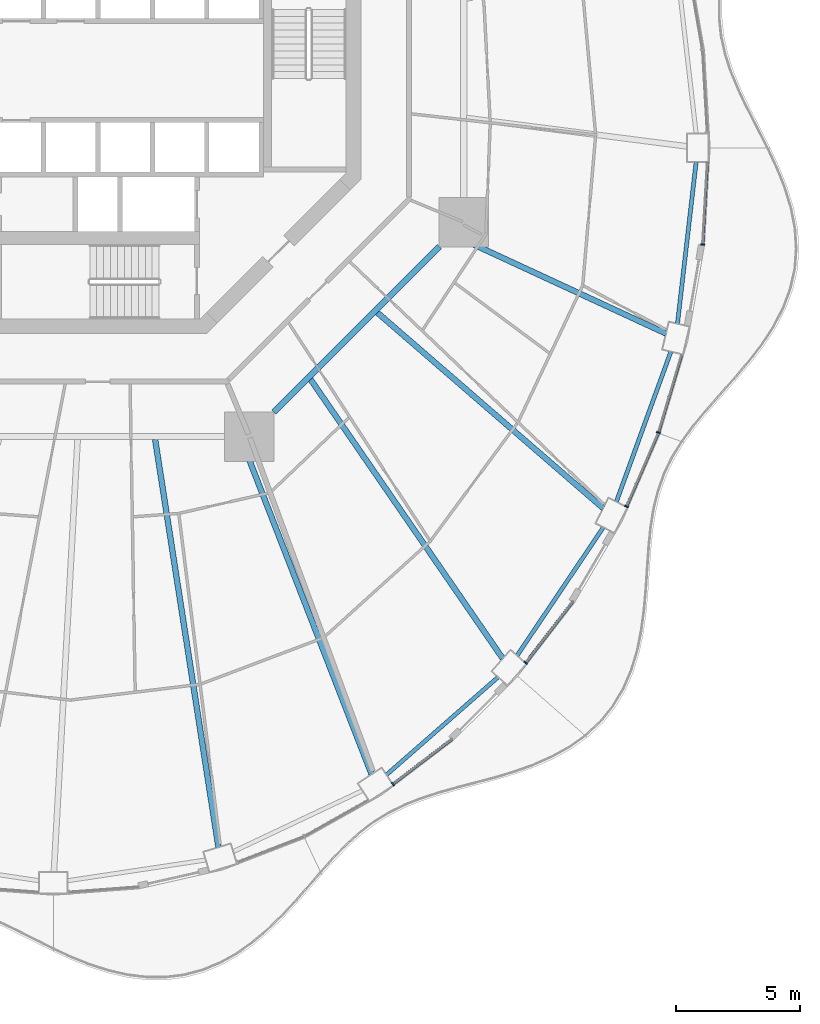
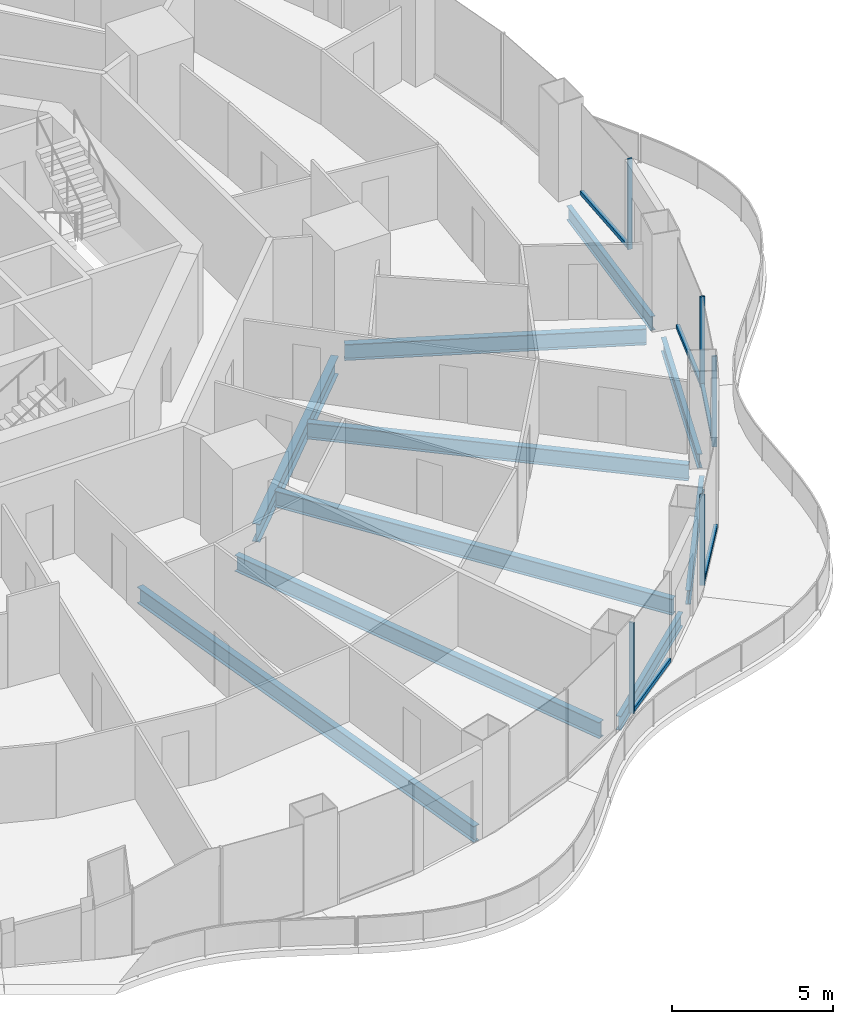
# One storey, part 5 of 20: 10 beams, 10 members, 5 elements without a shape of their own.
"""IFC4 building model written with IfcOpenShell, lengths in metres."""

import ifcopenshell
import ifcopenshell.guid

model = None  # the IFC model being written
_history = None  # IfcOwnerHistory: only IFC2X3 demands one
_inside = {}  # id of a spatial element -> (the spatial element, [elements in it])
_under = {}  # id of a project, library or spatial element -> (it, [spatial elements below it])
_declared = {}  # id of a project -> (the project, [libraries it declares])
_typed = {}  # id of a type object -> (the type object, [elements of that type])
_made_of = {}  # id of a material, layer set ... -> (it, [elements and type objects made of it])


def new_model(schema):
    """Start an empty IFC model of exactly this schema.

    Asked for "IFC4X3", IfcOpenShell would pick the latest addendum, in which some entities
    have other attributes; the version numbers below select the first issue.
    IFC2X3 requires an IfcOwnerHistory on every rooted entity: one is made here for all.
    """
    global model, _history
    if schema == "IFC4X3":
        model = ifcopenshell.file(schema_version=(4, 3, 0, 0))
    else:
        model = ifcopenshell.file(schema=schema)
    _inside.clear()
    _under.clear()
    _declared.clear()
    _typed.clear()
    _made_of.clear()
    _history = None
    if model.schema == "IFC2X3":
        org = make("IfcOrganization", Name="unknown")
        user = make(
            "IfcPersonAndOrganization",
            ThePerson=make("IfcPerson", FamilyName="unknown"),
            TheOrganization=org,
        )
        app = make(
            "IfcApplication",
            ApplicationDeveloper=org,
            Version="unknown",
            ApplicationFullName="unknown",
            ApplicationIdentifier="unknown",
        )
        _history = make(
            "IfcOwnerHistory",
            OwningUser=user,
            OwningApplication=app,
            ChangeAction="ADDED",
            CreationDate=0,
        )
    return model


def make(cls, **values):
    """One entity of the class cls with the attributes given. An attribute that is None is left unset."""
    return model.create_entity(
        cls, **{name: value for name, value in values.items() if value is not None}
    )


def rooted(cls, **values):
    """An entity with a GlobalId (a new one), such as an element, a storey or a relation."""
    return make(cls, GlobalId=ifcopenshell.guid.new(), OwnerHistory=_history, **values)


def si_unit(unit_type, name, prefix=None):
    """IfcSIUnit, for example si_unit("LENGTHUNIT", "METRE", prefix="MILLI")."""
    return make("IfcSIUnit", UnitType=unit_type, Prefix=prefix, Name=name)


def assignment(units):
    """IfcUnitAssignment: the units of a project."""
    return None if units is None else make("IfcUnitAssignment", Units=units)


def point(xyz):
    """IfcCartesianPoint."""
    return None if xyz is None else make("IfcCartesianPoint", Coordinates=xyz)


def direction(xyz):
    """IfcDirection."""
    return None if xyz is None else make("IfcDirection", DirectionRatios=xyz)


def frame(location, z_axis=None, x_axis=None):
    """IfcAxis2Placement3D, a coordinate frame: its origin and axes. An axis left out is left unset."""
    return make(
        "IfcAxis2Placement3D",
        Location=point(location),
        Axis=direction(z_axis),
        RefDirection=direction(x_axis),
    )


def frame_2d(location, x_axis=None):
    """IfcAxis2Placement2D, a coordinate frame in the plane: its origin and x axis."""
    return make(
        "IfcAxis2Placement2D", Location=point(location), RefDirection=direction(x_axis)
    )


def origin():
    """The frame at (0, 0, 0) with its axes left unset."""
    return frame((0.0, 0.0, 0.0))


def origin_2d():
    """The frame at (0, 0) in the plane with its x axis left unset."""
    return frame_2d((0.0, 0.0))


def place(relative_to, where):
    """IfcLocalPlacement: puts the frame where relative to a parent placement (None: the world)."""
    return make(
        "IfcLocalPlacement", PlacementRelTo=relative_to, RelativePlacement=where
    )


def context(
    kind, dimensions, precision=None, world=None, true_north=None, identifier=None
):
    """IfcGeometricRepresentationContext, for example the 3D "Model" context."""
    return make(
        "IfcGeometricRepresentationContext",
        ContextIdentifier=identifier,
        ContextType=kind,
        CoordinateSpaceDimension=dimensions,
        Precision=precision,
        WorldCoordinateSystem=world,
        TrueNorth=true_north,
    )


def subcontext(parent, identifier, kind, view, scale=None):
    """IfcGeometricRepresentationSubContext, for example "Body" below "Model"."""
    return make(
        "IfcGeometricRepresentationSubContext",
        ContextIdentifier=identifier,
        ContextType=kind,
        ParentContext=parent,
        TargetScale=scale,
        TargetView=view,
    )


def project(units=None, contexts=None):
    """IfcProject with its units and contexts."""
    return rooted(
        "IfcProject",
        Name="project",
        RepresentationContexts=contexts,
        UnitsInContext=assignment(units),
    )


def spatial(cls, under=None, at=None, **own):
    """A site, building, storey or space (cls), placed at a placement, below another one or the project."""
    s = rooted(cls, ObjectPlacement=at, **own)
    if under is not None:
        _under.setdefault(under.id(), (under, []))[1].append(s)
    return s


def profile(cls, at=None, kind="AREA", **sizes):
    """A parametric profile (cls). Its sizes go by their IFC names, for example OverallWidth=200.0."""
    return make(cls, ProfileType=kind, Position=at, **sizes)


def rectangle(**sizes):
    """IfcRectangleProfileDef."""
    return profile("IfcRectangleProfileDef", **sizes)


def i_section(**sizes):
    """IfcIShapeProfileDef."""
    return profile("IfcIShapeProfileDef", **sizes)


def extrude(swept, where, along, depth):
    """IfcExtrudedAreaSolid: the profile swept, set in the frame where, extruded along a direction by depth."""
    return make(
        "IfcExtrudedAreaSolid",
        SweptArea=swept,
        Position=where,
        ExtrudedDirection=direction(along),
        Depth=depth,
    )


def shape(context_of_items, identifier, shape_type, items):
    """IfcShapeRepresentation: the items that make up one representation, for example the "Body"."""
    return make(
        "IfcShapeRepresentation",
        ContextOfItems=context_of_items,
        RepresentationIdentifier=identifier,
        RepresentationType=shape_type,
        Items=items,
    )


def material(Name=None, Category=None):
    """IfcMaterial."""
    return make("IfcMaterial", Name=Name, Category=Category)


def layer(
    of_material, thickness, ventilated=None, Name=None, Category=None, Priority=None
):
    """IfcMaterialLayer: one layer of a wall or slab, of a material (None: an air gap)."""
    return make(
        "IfcMaterialLayer",
        Material=of_material,
        LayerThickness=thickness,
        IsVentilated=ventilated,
        Name=Name,
        Category=Category,
        Priority=Priority,
    )


def layer_set(layers, Name=None):
    """IfcMaterialLayerSet."""
    return make("IfcMaterialLayerSet", MaterialLayers=layers, LayerSetName=Name)


def material_profile(
    of_material, cross_section, Name=None, Category=None, Priority=None
):
    """IfcMaterialProfile: a cross section and its material."""
    return make(
        "IfcMaterialProfile",
        Name=Name,
        Material=of_material,
        Profile=cross_section,
        Priority=Priority,
        Category=Category,
    )


def profile_set(profiles, Name=None, composite=None):
    """IfcMaterialProfileSet."""
    return make(
        "IfcMaterialProfileSet",
        Name=Name,
        MaterialProfiles=profiles,
        CompositeProfile=composite,
    )


def made_of(thing, what):
    """Note that an element or type object is made of a material, layer set ...; save() writes the relation."""
    if what is not None:
        _made_of.setdefault(what.id(), (what, []))[1].append(thing)
    return thing


def type_object(cls, material=None, **own):
    """A type object (cls), such as IfcWallType, which elements share."""
    return made_of(rooted(cls, **own), material)


def element(
    cls,
    number,
    at=None,
    inside=None,
    cuts=None,
    type_object=None,
    material=None,
    context=None,
    identifier="Body",
    shape_type=None,
    held_by="IfcProductDefinitionShape",
    body=None,
    shapes=None,
    **own,
):
    """One element of the class cls, such as IfcWall. Its Tag is "e" and its number.

    at: its placement. inside: the storey or other place that contains it. cuts: it is an
    opening in that element (IfcRelVoidsElement). A single representation is given by context,
    identifier, shape_type and body (its items); several are given by shapes. held_by: the class
    of the entity that holds the representations. save() writes the other relations.
    """
    e = rooted(cls, Tag="e%d" % number, ObjectPlacement=at, **own)
    if body is not None:
        shapes = [shape(context, identifier, shape_type, body)]
    if shapes is not None:
        e.Representation = make(held_by, Representations=shapes)
    if inside is not None:
        _inside.setdefault(inside.id(), (inside, []))[1].append(e)
    if cuts is not None:
        rooted(
            "IfcRelVoidsElement", RelatingBuildingElement=cuts, RelatedOpeningElement=e
        )
    if type_object is not None:
        _typed.setdefault(type_object.id(), (type_object, []))[1].append(e)
    return made_of(e, material)


def aggregate(whole, parts):
    """IfcRelAggregates: a whole, such as a stair, and the parts it consists of."""
    return rooted("IfcRelAggregates", RelatingObject=whole, RelatedObjects=parts)


def save(model, path):
    """Write the relations noted so far, then the file.

    IfcRelAggregates (storeys below a building ...), IfcRelContainedInSpatialStructure (elements
    in a storey), IfcRelDefinesByType, IfcRelAssociatesMaterial and IfcRelDeclares: one each for
    every whole, place, type object, material and project.
    """
    for whole, parts in _under.values():
        aggregate(whole, parts)
    for where, things in _inside.values():
        rooted(
            "IfcRelContainedInSpatialStructure",
            RelatedElements=things,
            RelatingStructure=where,
        )
    for kind, things in _typed.values():
        rooted("IfcRelDefinesByType", RelatedObjects=things, RelatingType=kind)
    for what, things in _made_of.values():
        rooted("IfcRelAssociatesMaterial", RelatedObjects=things, RelatingMaterial=what)
    for by, libraries in _declared.values():
        rooted("IfcRelDeclares", RelatingContext=by, RelatedDefinitions=libraries)
    model.write(path)


model = new_model("IFC4")

# Units and contexts
model_context = context("Model", 3, precision=1e-05, world=origin(), true_north=direction((0.0, 1.0)))
body_context = subcontext(model_context, "Body", "Model", "MODEL_VIEW")
ifc_project = project(units=[si_unit("LENGTHUNIT", "METRE"), si_unit("AREAUNIT", "SQUARE_METRE"), si_unit("VOLUMEUNIT", "CUBIC_METRE"), si_unit("PLANEANGLEUNIT", "RADIAN"), si_unit("MASSUNIT", "GRAM", prefix="KILO")], contexts=[model_context])

# Site, building, storey
site_placement = place(None, origin())
site = spatial("IfcSite", under=ifc_project, at=site_placement, CompositionType="ELEMENT")
building_placement = place(site_placement, origin())
building = spatial("IfcBuilding", under=site, at=building_placement, Name="Nagisa Residences", CompositionType="ELEMENT")
storey_placement = place(building_placement, frame((0.0, 0.0, 130.699951171875)))
storey = spatial("IfcBuildingStorey", under=building, at=storey_placement, Name="L32", CompositionType="ELEMENT", Elevation=130.699951171875)

# Curtain wall, member
ifc_material_1 = material(Name="Concrete-coloured aluminium curtain wall system", Category="concrete")
ifc_layer = layer(ifc_material_1, 0.159912109375)
ifc_layer_set = layer_set([ifc_layer], Name="CW1 CURTAIN WALL")
curtain_wall_type = type_object("IfcCurtainWallType", Name="CW1 CURTAIN WALL", PredefinedType="NOTDEFINED", material=ifc_layer_set)
curtain_wall_1_placement = place(storey_placement, origin())
curtain_wall_1 = element("IfcCurtainWall", 1, at=curtain_wall_1_placement, inside=storey, type_object=curtain_wall_type, Name="cw:CW1:L32:40", PredefinedType="NOTDEFINED")
ifc_material_2 = material(Name="Concrete-coloured aluminium", Category="concrete")
ifc_material_profile_1 = material_profile(ifc_material_2, rectangle(XDim=0.159912109375, YDim=0.06005859375, at=origin_2d()), Name="CW1 MULLION 160x60")
ifc_profile_set_1 = profile_set([ifc_material_profile_1], Name="Concrete-coloured aluminium")
member_type_1 = type_object("IfcMemberType", Name="CW1 MULLION 160x60", PredefinedType="MULLION", material=ifc_profile_set_1)
member_1_placement = place(storey_placement, frame((11.920654296875, -28.822265625, 0.0), z_axis=(0.0, 0.0, 1.0), x_axis=(-0.605255421737, 0.79603132756, 0.0)))
member_1 = element("IfcMember", 2, at=member_1_placement, type_object=member_type_1, Name="CW1 mullion", PredefinedType="MULLION", context=body_context, shape_type="SweptSolid", body=[
    extrude(rectangle(XDim=0.159912109375, YDim=0.06005859375, at=origin_2d()), origin(), (0.0, 0.0, 1.0), 3.43994140625),
])

curtain_wall_2_placement = place(storey_placement, origin())
curtain_wall_2 = element("IfcCurtainWall", 3, at=curtain_wall_2_placement, inside=storey, type_object=curtain_wall_type, Name="cw:CW1:L32:42", PredefinedType="NOTDEFINED")
member_2_placement = place(storey_placement, frame((17.2841796875, -23.9208984375, 0.0), z_axis=(0.0, 0.0, 1.0), x_axis=(-0.792070340816, 0.610429828235, 0.0)))
member_2 = element("IfcMember", 4, at=member_2_placement, type_object=member_type_1, Name="CW1 mullion", PredefinedType="MULLION", context=body_context, shape_type="SweptSolid", body=[
    extrude(rectangle(XDim=0.159912109375, YDim=0.06005859375, at=origin_2d()), origin(), (0.0, 0.0, 1.0), 3.43994140625),
])

curtain_wall_3_placement = place(storey_placement, origin())
curtain_wall_3 = element("IfcCurtainWall", 5, at=curtain_wall_3_placement, inside=storey, type_object=curtain_wall_type, Name="cw:CW1:L32:44", PredefinedType="NOTDEFINED")
member_3_placement = place(storey_placement, frame((21.357177734375, -17.605224609375, 0.0), z_axis=(0.0, 0.0, 1.0), x_axis=(-0.917543276295, 0.397635934147, 0.0)))
member_3 = element("IfcMember", 6, at=member_3_placement, type_object=member_type_1, Name="CW1 mullion", PredefinedType="MULLION", context=body_context, shape_type="SweptSolid", body=[
    extrude(rectangle(XDim=0.159912109375, YDim=0.06005859375, at=origin_2d()), origin(), (0.0, 0.0, 1.0), 3.43994140625),
])

curtain_wall_4_placement = place(storey_placement, origin())
curtain_wall_4 = element("IfcCurtainWall", 7, at=curtain_wall_4_placement, inside=storey, type_object=curtain_wall_type, Name="cw:CW1:L32:45", PredefinedType="NOTDEFINED")
member_4_placement = place(storey_placement, frame((22.64697265625, -14.62109375, 0.0), z_axis=(0.0, 0.0, 1.0), x_axis=(-0.958271310082, 0.285860274038, 0.0)))
member_4 = element("IfcMember", 8, at=member_4_placement, type_object=member_type_1, Name="CW1 mullion", PredefinedType="MULLION", context=body_context, shape_type="SweptSolid", body=[
    extrude(rectangle(XDim=0.159912109375, YDim=0.06005859375, at=origin_2d()), origin(), (0.0, 0.0, 1.0), 3.43994140625),
])

curtain_wall_5_placement = place(storey_placement, origin())
curtain_wall_5 = element("IfcCurtainWall", 9, at=curtain_wall_5_placement, inside=storey, type_object=curtain_wall_type, Name="cw:CW1:L32:47", PredefinedType="NOTDEFINED")
member_5_placement = place(storey_placement, frame((24.429931640625, -7.0244140625, 0.0), z_axis=(0.0, 0.0, 1.0), x_axis=(-0.998345305184, 0.057503492216, 0.0)))
member_5 = element("IfcMember", 10, at=member_5_placement, type_object=member_type_1, Name="CW1 mullion", PredefinedType="MULLION", context=body_context, shape_type="SweptSolid", body=[
    extrude(rectangle(XDim=0.159912109375, YDim=0.06005859375, at=origin_2d()), origin(), (0.0, 0.0, 1.0), 3.43994140625),
])

# Member
ifc_material_3 = material(Name="Concrete-coloured aluminium", Category="concrete")
ifc_material_profile_2 = material_profile(ifc_material_3, rectangle(XDim=0.1201171875, YDim=0.14990234375, at=origin_2d()), Name="CW1 TRANSOM 120x150")
ifc_profile_set_2 = profile_set([ifc_material_profile_2], Name="Concrete-coloured aluminium")
member_type_2 = type_object("IfcMemberType", Name="CW1 TRANSOM 120x150", PredefinedType="USERDEFINED", material=ifc_profile_set_2)
member_6_placement = place(storey_placement, frame((11.896728515625, -28.840576171875, 0.074951171875), z_axis=(0.796022231079, 0.605267385233, 0.0), x_axis=(-0.605267385233, 0.796022231079, 0.0)))
member_6 = element("IfcMember", 11, at=member_6_placement, type_object=member_type_2, Name="CW1 transom", ObjectType="TRANSOM", PredefinedType="USERDEFINED", context=body_context, shape_type="SweptSolid", body=[
    extrude(rectangle(XDim=0.1201171875, YDim=0.14990234375, at=origin_2d()), origin(), (0.0, 0.0, 1.0), 3.025634765625),
])

aggregate(curtain_wall_1, [member_1, member_6])

member_7_placement = place(storey_placement, frame((17.265869140625, -23.94482421875, 0.074951171875), z_axis=(0.610429847179, 0.792070326217, 0.0), x_axis=(-0.792070326217, 0.610429847179, 0.0)))
member_7 = element("IfcMember", 12, at=member_7_placement, type_object=member_type_2, Name="CW1 transom", ObjectType="TRANSOM", PredefinedType="USERDEFINED", context=body_context, shape_type="SweptSolid", body=[
    extrude(rectangle(XDim=0.1201171875, YDim=0.14990234375, at=origin_2d()), origin(), (0.0, 0.0, 1.0), 3.149169921875),
])

aggregate(curtain_wall_2, [member_2, member_7])

member_8_placement = place(storey_placement, frame((21.34521484375, -17.6328125, 0.074951171875), z_axis=(0.397666272939, 0.917530127771, 0.0), x_axis=(-0.917530127771, 0.397666272939, 0.0)))
member_8 = element("IfcMember", 13, at=member_8_placement, type_object=member_type_2, Name="CW1 transom", ObjectType="TRANSOM", PredefinedType="USERDEFINED", context=body_context, shape_type="SweptSolid", body=[
    extrude(rectangle(XDim=0.1201171875, YDim=0.14990234375, at=origin_2d()), origin(), (0.0, 0.0, 1.0), 3.260498046875),
])

aggregate(curtain_wall_3, [member_3, member_8])

member_9_placement = place(storey_placement, frame((22.638427734375, -14.64990234375, 0.074951171875), z_axis=(0.285909915381, 0.958256500258, 0.0), x_axis=(-0.958256500258, 0.285909915381, 0.0)))
member_9 = element("IfcMember", 14, at=member_9_placement, type_object=member_type_2, Name="CW1 transom", ObjectType="TRANSOM", PredefinedType="USERDEFINED", context=body_context, shape_type="SweptSolid", body=[
    extrude(rectangle(XDim=0.1201171875, YDim=0.14990234375, at=origin_2d()), origin(), (0.0, 0.0, 1.0), 3.302978515625),
])

aggregate(curtain_wall_4, [member_4, member_9])

member_10_placement = place(storey_placement, frame((24.42822265625, -7.054443359375, 0.074951171875), z_axis=(0.05746514539, 0.998347513176, 0.0), x_axis=(-0.998347513176, 0.05746514539, 0.0)))
member_10 = element("IfcMember", 15, at=member_10_placement, type_object=member_type_2, Name="CW1 transom", ObjectType="TRANSOM", PredefinedType="USERDEFINED", context=body_context, shape_type="SweptSolid", body=[
    extrude(rectangle(XDim=0.1201171875, YDim=0.14990234375, at=origin_2d()), origin(), (0.0, 0.0, 1.0), 3.347900390625),
])

aggregate(curtain_wall_5, [member_5, member_10])

# Beams
ifc_material_4 = material(Name="Steel ASTM A572 Gr 50", Category="steel")
ifc_material_profile_3 = material_profile(ifc_material_4, i_section(OverallWidth=0.25390625, OverallDepth=0.68408203125, WebThickness=0.012451171875, FlangeThickness=0.018798828125, at=origin_2d()), Name="W690x140")
ifc_profile_set_3 = profile_set([ifc_material_profile_3], Name="Steel ASTM A572 Gr 50")
beam_type_1 = type_object("IfcBeamType", Name="Inner ring beam W690x140", PredefinedType="BEAM", material=ifc_profile_set_3)
beam_1_placement = place(storey_placement, frame((7.10888671875, -13.796142578125, -0.60205078125), z_axis=(0.707106781187, 0.707106781187, 0.0), x_axis=(-0.707106781187, 0.707106781187, 0.0)))
element("IfcBeam", 16, at=beam_1_placement, inside=storey, type_object=beam_type_1, Name="beam:L32:ib7", PredefinedType="BEAM", context=body_context, shape_type="SweptSolid", body=[
    extrude(i_section(OverallWidth=0.25390625, OverallDepth=0.68408203125, WebThickness=0.012451171875, FlangeThickness=0.018798828125, at=origin_2d()), origin(), (0.0, 0.0, 1.0), 9.457275390625),
])
ifc_material_5 = material(Name="Steel ASTM A572 Gr 50", Category="steel")
ifc_material_profile_4 = material_profile(ifc_material_5, i_section(OverallWidth=0.166015625, OverallDepth=0.534912109375, WebThickness=0.01025390625, FlangeThickness=0.0166015625, at=origin_2d()), Name="W530x85")
ifc_profile_set_4 = profile_set([ifc_material_profile_4], Name="Steel ASTM A572 Gr 50")
beam_type_2 = type_object("IfcBeamType", Name="Perimeter ring beam W530x85", PredefinedType="BEAM", material=ifc_profile_set_4)
beam_2_placement = place(storey_placement, frame((11.658203125, -28.448486328125, -0.52734375), z_axis=(0.75252371036, 0.658565156493, 0.0), x_axis=(-0.658565156493, 0.75252371036, 0.0)))
element("IfcBeam", 17, at=beam_2_placement, inside=storey, type_object=beam_type_2, Name="beam:L32:pb21", PredefinedType="BEAM", context=body_context, shape_type="SweptSolid", body=[
    extrude(i_section(OverallWidth=0.166015625, OverallDepth=0.534912109375, WebThickness=0.01025390625, FlangeThickness=0.0166015625, at=origin_2d()), origin(), (0.0, 0.0, 1.0), 5.994384765625),
])
beam_3_placement = place(storey_placement, frame((16.93603515625, -23.6298828125, -0.52734375), z_axis=(0.558187951157, 0.82971453596, 0.0), x_axis=(-0.82971453596, 0.558187951157, 0.0)))
element("IfcBeam", 18, at=beam_3_placement, inside=storey, type_object=beam_type_2, Name="beam:L32:pb22", PredefinedType="BEAM", context=body_context, shape_type="SweptSolid", body=[
    extrude(i_section(OverallWidth=0.166015625, OverallDepth=0.534912109375, WebThickness=0.01025390625, FlangeThickness=0.0166015625, at=origin_2d()), origin(), (0.0, 0.0, 1.0), 6.24267578125),
])
beam_4_placement = place(storey_placement, frame((20.946533203125, -17.415771484375, -0.52734375), z_axis=(0.341332802315, 0.93994250785, 0.0), x_axis=(-0.93994250785, 0.341332802315, 0.0)))
element("IfcBeam", 19, at=beam_4_placement, inside=storey, type_object=beam_type_2, Name="beam:L32:pb23", PredefinedType="BEAM", context=body_context, shape_type="SweptSolid", body=[
    extrude(i_section(OverallWidth=0.166015625, OverallDepth=0.534912109375, WebThickness=0.01025390625, FlangeThickness=0.0166015625, at=origin_2d()), origin(), (0.0, 0.0, 1.0), 6.450927734375),
])
beam_5_placement = place(storey_placement, frame((23.414794921875, -10.22314453125, -0.52734375), z_axis=(0.114660786771, 0.993404703017, 0.0), x_axis=(-0.993404703017, 0.114660786771, 0.0)))
element("IfcBeam", 20, at=beam_5_placement, inside=storey, type_object=beam_type_2, Name="beam:L32:pb24", PredefinedType="BEAM", context=body_context, shape_type="SweptSolid", body=[
    extrude(i_section(OverallWidth=0.166015625, OverallDepth=0.534912109375, WebThickness=0.01025390625, FlangeThickness=0.0166015625, at=origin_2d()), origin(), (0.0, 0.0, 1.0), 6.568603515625),
])
ifc_material_6 = material(Name="Steel ASTM A572 Gr 50", Category="steel")
ifc_material_profile_5 = material_profile(ifc_material_6, i_section(OverallWidth=0.22900390625, OverallDepth=0.612060546875, WebThickness=0.011962890625, FlangeThickness=0.01953125, at=origin_2d()), Name="W610x125")
ifc_profile_set_5 = profile_set([ifc_material_profile_5], Name="Steel ASTM A572 Gr 50")
beam_type_3 = type_object("IfcBeamType", Name="Radial beam W610x125", PredefinedType="BEAM", material=ifc_profile_set_5)
beam_6_placement = place(storey_placement, frame((4.87158203125, -31.371337890625, -0.56591796875), z_axis=(-0.153441816097, 0.988157684316, 0.0), x_axis=(-0.988157684316, -0.153441816097, 0.0)))
element("IfcBeam", 21, at=beam_6_placement, inside=storey, type_object=beam_type_3, Name="beam:L32:rb20", PredefinedType="BEAM", context=body_context, shape_type="SweptSolid", body=[
    extrude(i_section(OverallWidth=0.22900390625, OverallDepth=0.612060546875, WebThickness=0.011962890625, FlangeThickness=0.01953125, at=origin_2d()), origin(), (0.0, 0.0, 1.0), 16.679443359375),
])
beam_7_placement = place(storey_placement, frame((11.057861328125, -28.424072265625, -0.56591796875), z_axis=(-0.362553351511, 0.931963018208, 0.0), x_axis=(-0.931963018208, -0.362553351511, 0.0)))
element("IfcBeam", 22, at=beam_7_placement, inside=storey, type_object=beam_type_3, Name="beam:L32:rb21", PredefinedType="BEAM", context=body_context, shape_type="SweptSolid", body=[
    extrude(i_section(OverallWidth=0.22900390625, OverallDepth=0.612060546875, WebThickness=0.011962890625, FlangeThickness=0.01953125, at=origin_2d()), origin(), (0.0, 0.0, 1.0), 14.521728515625),
])
beam_8_placement = place(storey_placement, frame((16.357666015625, -23.74951171875, -0.56591796875), z_axis=(-0.567235127754, 0.823555893575, 0.0), x_axis=(-0.823555893575, -0.567235127754, 0.0)))
element("IfcBeam", 23, at=beam_8_placement, inside=storey, type_object=beam_type_3, Name="beam:L32:rb22", PredefinedType="BEAM", context=body_context, shape_type="SweptSolid", body=[
    extrude(i_section(OverallWidth=0.22900390625, OverallDepth=0.612060546875, WebThickness=0.011962890625, FlangeThickness=0.01953125, at=origin_2d()), origin(), (0.0, 0.0, 1.0), 13.697509765625),
])
beam_9_placement = place(storey_placement, frame((20.41162109375, -17.6748046875, -0.56591796875), z_axis=(-0.755973913649, 0.654601742957, 0.0), x_axis=(-0.654601742957, -0.755973913649, 0.0)))
element("IfcBeam", 24, at=beam_9_placement, inside=storey, type_object=beam_type_3, Name="beam:L32:rb23", PredefinedType="BEAM", context=body_context, shape_type="SweptSolid", body=[
    extrude(i_section(OverallWidth=0.22900390625, OverallDepth=0.612060546875, WebThickness=0.011962890625, FlangeThickness=0.01953125, at=origin_2d()), origin(), (0.0, 0.0, 1.0), 12.072998046875),
])
beam_10_placement = place(storey_placement, frame((22.94921875, -10.618896484375, -0.56591796875), z_axis=(-0.907551024181, 0.419941827528, 0.0), x_axis=(-0.419941827528, -0.907551024181, 0.0)))
element("IfcBeam", 25, at=beam_10_placement, inside=storey, type_object=beam_type_3, Name="beam:L32:rb24", PredefinedType="BEAM", context=body_context, shape_type="SweptSolid", body=[
    extrude(i_section(OverallWidth=0.22900390625, OverallDepth=0.612060546875, WebThickness=0.011962890625, FlangeThickness=0.01953125, at=origin_2d()), origin(), (0.0, 0.0, 1.0), 9.424072265625),
])

save(model, "model.ifc")
